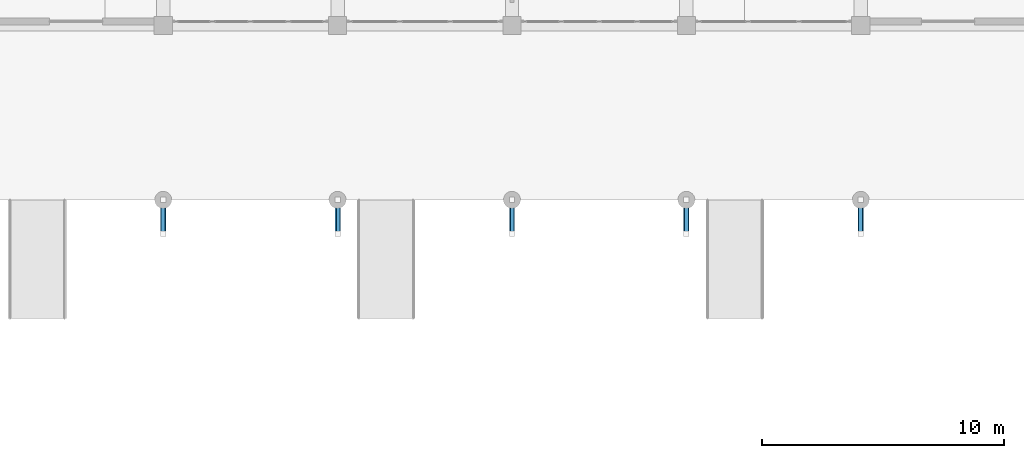
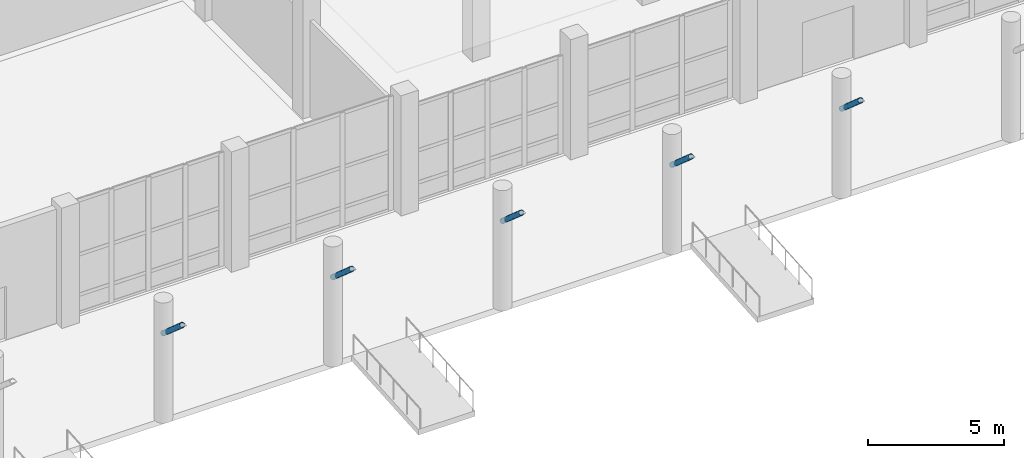
# One storey, part 25 of 137: 5 members.
"""IFC4 building model written with IfcOpenShell, lengths in metres."""

from ifc_helpers import new_model, si_unit, direction, frame, origin, origin_2d, place, context, subcontext, project, spatial, hollow_circle, extrude, material, material_profile, profile_set, type_object, element, save


model = new_model("IFC4")

# Units and contexts
model_context = context("Model", 3, precision=1e-05, world=origin(), true_north=direction((0.0, 1.0)))
body_context = subcontext(model_context, "Body", "Model", "MODEL_VIEW")
ifc_project = project(units=[si_unit("LENGTHUNIT", "METRE"), si_unit("AREAUNIT", "SQUARE_METRE"), si_unit("VOLUMEUNIT", "CUBIC_METRE"), si_unit("PLANEANGLEUNIT", "RADIAN"), si_unit("MASSUNIT", "GRAM", prefix="KILO")], contexts=[model_context])

# Site, building, storey
site_placement = place(None, origin())
site = spatial("IfcSite", under=ifc_project, at=site_placement, CompositionType="ELEMENT")
building_placement = place(site_placement, origin())
building = spatial("IfcBuilding", under=site, at=building_placement, Name="Kalmorath City Hall", CompositionType="ELEMENT")
storey_placement = place(building_placement, origin())
storey = spatial("IfcBuildingStorey", under=building, at=storey_placement, Name="L00", CompositionType="ELEMENT", Elevation=0.0)

# Members
ifc_material = material(Name="Steel ASTM A500 Grade C", Category="steel")
ifc_material_profile = material_profile(ifc_material, hollow_circle(Radius=0.109619140625, WallThickness=0.0087890625, at=origin_2d()), Name="HSS219X9.5")
ifc_profile_set = profile_set([ifc_material_profile], Name="Steel ASTM A500 Grade C")
member_type = type_object("IfcMemberType", Name="Steel arcade diagonal strut HSS219X9.5", PredefinedType="BRACE", material=ifc_profile_set)
for number, where, z_axis, x_axis, name in (
    (1, (64.800048828125, 14.39990234375, 3.800048828125), (0.0, -0.753894617684, 0.656995361801), (1.0, 0.0, 0.0), "Storm arcade brace strut BR7-5"),
    (2, (72.0, 14.39990234375, 3.800048828125), (0.0, -0.753894617684, 0.656995361801), (1.0, 0.0, 0.0), "Storm arcade brace strut BR7-6"),
    (3, (79.199951171875, 14.39990234375, 3.800048828125), (0.0, -0.753894617684, 0.656995361801), (1.0, 0.0, 0.0), "Storm arcade brace strut BR7-7"),
    (4, (86.39990234375, 14.39990234375, 3.800048828125), (0.0, -0.753894617684, 0.656995361801), (1.0, 0.0, 0.0), "Storm arcade brace strut BR7-8"),
    (5, (93.60009765625, 14.39990234375, 3.800048828125), (0.0, -0.753894617684, 0.656995361801), (1.0, 0.0, 0.0), "Storm arcade brace strut BR7-9"),
):
    element("IfcMember", number, at=place(storey_placement, frame(where, z_axis=z_axis, x_axis=x_axis)), inside=storey, type_object=member_type, Name=name, PredefinedType="BRACE", context=body_context, shape_type="SweptSolid", body=[
        extrude(hollow_circle(Radius=0.109619140625, WallThickness=0.0087890625, at=origin_2d()), origin(), (0.0, 0.0, 1.0), 1.85693359375),
    ])

save(model, "model.ifc")
